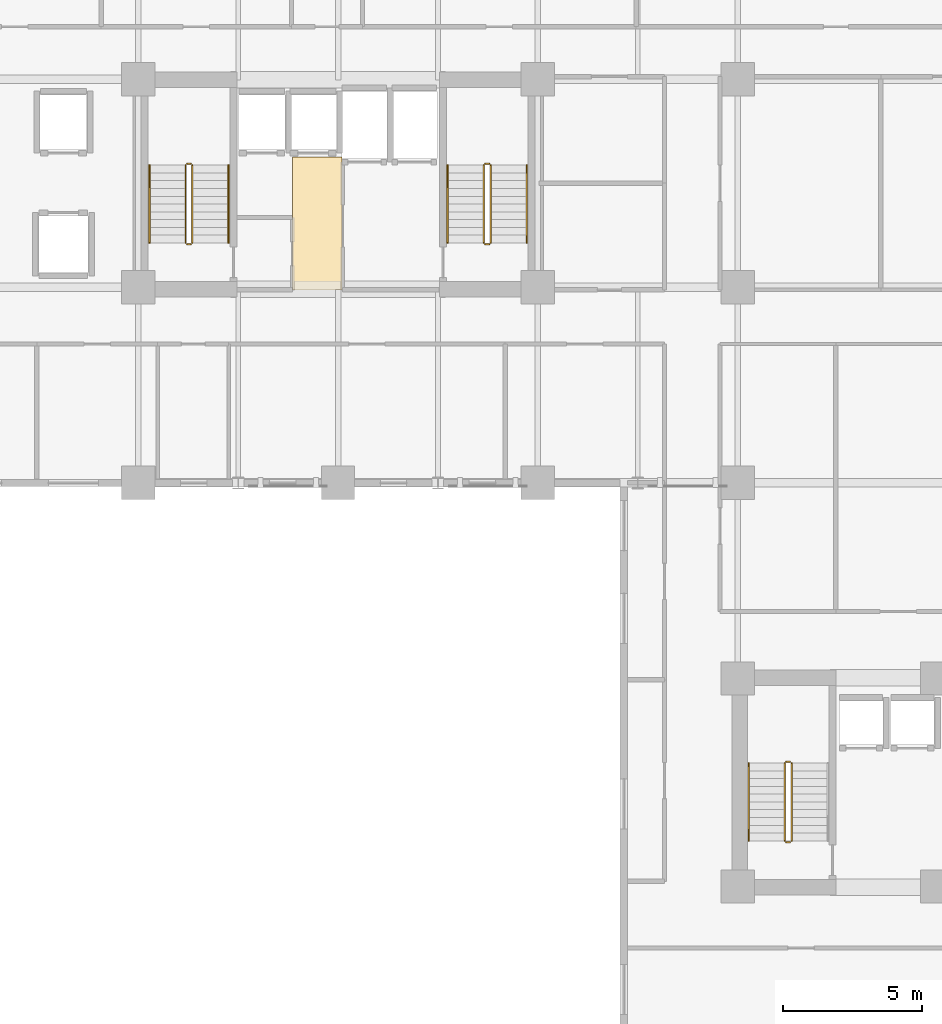
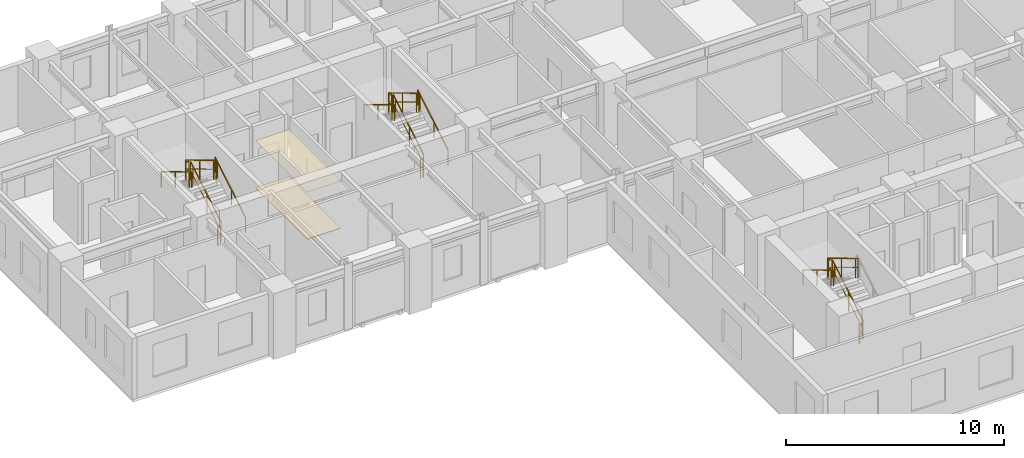
# One storey, part 9 of 11: 17 railings, 2 coverings.
"""IFC4 building model written with IfcOpenShell, lengths in metres."""

from ifc_helpers import new_model, si_unit, direction, frame, origin, origin_2d, place, context, subcontext, project, spatial, rectangle, extrude, source, transform, mapped, material, layer, layer_set, type_object, element, save


model = new_model("IFC4")

# Units and contexts
model_context = context("Model", 3, precision=1e-05, world=origin(), true_north=direction((0.0, 1.0)))
body_context = subcontext(model_context, "Body", "Model", "MODEL_VIEW")
ifc_project = project(units=[si_unit("LENGTHUNIT", "METRE"), si_unit("AREAUNIT", "SQUARE_METRE"), si_unit("VOLUMEUNIT", "CUBIC_METRE"), si_unit("PLANEANGLEUNIT", "RADIAN"), si_unit("MASSUNIT", "GRAM", prefix="KILO")], contexts=[model_context])

# Site, building, storey
site_placement = place(None, origin())
site = spatial("IfcSite", under=ifc_project, at=site_placement, CompositionType="ELEMENT")
building_placement = place(site_placement, origin())
building = spatial("IfcBuilding", under=site, at=building_placement, Name="Kaliganga Portal Commons", CompositionType="ELEMENT")
storey_placement = place(building_placement, frame((0.0, 0.0, 89.699951171875)))
storey = spatial("IfcBuildingStorey", under=building, at=storey_placement, Name="L22", CompositionType="ELEMENT", Elevation=89.699951171875)

# Railings
ifc_material_1 = material(Name="Galvanized Painted Steel Balustrade", Category="steel")
railing_type_1 = type_object("IfcRailingType", Name="RLG-STAIR-GRD", PredefinedType="GUARDRAIL", material=ifc_material_1)
railing_1_placement = place(storey_placement, frame((16.35009765625, 30.25, 0.168212890625)))
element("IfcRailing", 1, at=railing_1_placement, inside=storey, type_object=railing_type_1, Name="L22 ST-A1 stair guard 1", PredefinedType="GUARDRAIL", context=body_context, shape_type="SweptSolid", body=[
    extrude(rectangle(XDim=0.048095703125, YDim=0.048095703125, at=origin_2d()), frame((0.0, 0.0, 1.072021484375), z_axis=(0.0, 0.857242210791, 0.514913383045), x_axis=(-1.0, 0.0, 0.0)), (0.0, 0.0, 1.0), 3.266357421875),
    extrude(rectangle(XDim=0.028076171875, YDim=0.028076171875, at=origin_2d()), frame((0.0, 0.0, 0.572021484375), z_axis=(0.0, 0.857242210791, 0.514913383045), x_axis=(-1.0, 0.0, 0.0)), (0.0, 0.0, 1.0), 3.266357421875),
    extrude(rectangle(XDim=0.0419921875, YDim=0.0419921875, at=origin_2d()), origin(), (0.0, 0.0, 1.0), 1.052001953125),
    extrude(rectangle(XDim=0.0419921875, YDim=0.0419921875, at=origin_2d()), frame((0.0, 1.285888671875, 0.7724609375)), (0.0, 0.0, 1.0), 1.052001953125),
    extrude(rectangle(XDim=0.0419921875, YDim=0.0419921875, at=origin_2d()), frame((0.0, 2.57177734375, 1.544677734375)), (0.0, 0.0, 1.0), 1.052001953125),
    extrude(rectangle(XDim=0.0419921875, YDim=0.0419921875, at=origin_2d()), frame((0.0, 2.800048828125, 1.681884765625)), (0.0, 0.0, 1.0), 1.052001953125),
])
railing_2_placement = place(storey_placement, frame((16.300048828125, 33.10009765625, 1.85009765625)))
element("IfcRailing", 2, at=railing_2_placement, inside=storey, type_object=railing_type_1, Name="L22 ST-A1 stair guard 2", PredefinedType="GUARDRAIL", context=body_context, shape_type="SweptSolid", body=[
    extrude(rectangle(XDim=0.048095703125, YDim=0.048095703125, at=origin_2d()), frame((0.0, 0.0, 1.076171875), z_axis=(-1.0, 0.0, 0.0), x_axis=(0.0, -1.0, 0.0)), (0.0, 0.0, 1.0), 0.150146484375),
    extrude(rectangle(XDim=0.028076171875, YDim=0.028076171875, at=origin_2d()), frame((0.0, 0.0, 0.572021484375), z_axis=(-1.0, 0.0, 0.0), x_axis=(0.0, -1.0, 0.0)), (0.0, 0.0, 1.0), 0.150146484375),
    extrude(rectangle(XDim=0.0419921875, YDim=0.0419921875, at=origin_2d()), origin(), (0.0, 0.0, 1.0), 1.052001953125),
    extrude(rectangle(XDim=0.0419921875, YDim=0.0419921875, at=origin_2d()), frame((-0.150146484375, 0.0, 0.0)), (0.0, 0.0, 1.0), 1.052001953125),
])
railing_3_placement = place(storey_placement, frame((16.10009765625, 33.050048828125, 2.018310546875)))
element("IfcRailing", 3, at=railing_3_placement, inside=storey, type_object=railing_type_1, Name="L22 ST-A1 stair guard 3", PredefinedType="GUARDRAIL", context=body_context, shape_type="SweptSolid", body=[
    extrude(rectangle(XDim=0.048095703125, YDim=0.048095703125, at=origin_2d()), frame((0.0, 0.0, 1.072021484375), z_axis=(0.0, -0.857275202839, 0.514858452973), x_axis=(1.0, 0.0, 0.0)), (0.0, 0.0, 1.0), 3.26611328125),
    extrude(rectangle(XDim=0.028076171875, YDim=0.028076171875, at=origin_2d()), frame((0.0, 0.0, 0.572021484375), z_axis=(0.0, -0.857275202839, 0.514858452973), x_axis=(1.0, 0.0, 0.0)), (0.0, 0.0, 1.0), 3.26611328125),
    extrude(rectangle(XDim=0.0419921875, YDim=0.0419921875, at=origin_2d()), origin(), (0.0, 0.0, 1.0), 1.052001953125),
    extrude(rectangle(XDim=0.0419921875, YDim=0.0419921875, at=origin_2d()), frame((0.0, -1.285888671875, 0.772216796875)), (0.0, 0.0, 1.0), 1.052001953125),
    extrude(rectangle(XDim=0.0419921875, YDim=0.0419921875, at=origin_2d()), frame((0.0, -2.57177734375, 1.544677734375)), (0.0, 0.0, 1.0), 1.052001953125),
    extrude(rectangle(XDim=0.0419921875, YDim=0.0419921875, at=origin_2d()), frame((0.0, -2.800048828125, 1.681640625)), (0.0, 0.0, 1.0), 1.052001953125),
])
railing_4_placement = place(storey_placement, frame((16.300048828125, 30.199951171875, 0.0)))
element("IfcRailing", 4, at=railing_4_placement, inside=storey, type_object=railing_type_1, Name="L22 ST-A1 stair guard 4", PredefinedType="GUARDRAIL", context=body_context, shape_type="SweptSolid", body=[
    extrude(rectangle(XDim=0.048095703125, YDim=0.048095703125, at=origin_2d()), frame((0.0, 0.0, 1.076171875), z_axis=(-1.0, 0.0, 0.0), x_axis=(0.0, -1.0, 0.0)), (0.0, 0.0, 1.0), 0.150146484375),
    extrude(rectangle(XDim=0.028076171875, YDim=0.028076171875, at=origin_2d()), frame((0.0, 0.0, 0.572021484375), z_axis=(-1.0, 0.0, 0.0), x_axis=(0.0, -1.0, 0.0)), (0.0, 0.0, 1.0), 0.150146484375),
    extrude(rectangle(XDim=0.0419921875, YDim=0.0419921875, at=origin_2d()), origin(), (0.0, 0.0, 1.0), 1.052001953125),
    extrude(rectangle(XDim=0.0419921875, YDim=0.0419921875, at=origin_2d()), frame((-0.150146484375, 0.0, 0.0)), (0.0, 0.0, 1.0), 1.052001953125),
])
railing_5_placement = place(storey_placement, frame((27.10009765625, 30.25, 0.168212890625)))
element("IfcRailing", 5, at=railing_5_placement, inside=storey, type_object=railing_type_1, Name="L22 ST-A2 stair guard 1", PredefinedType="GUARDRAIL", context=body_context, shape_type="SweptSolid", body=[
    extrude(rectangle(XDim=0.048095703125, YDim=0.048095703125, at=origin_2d()), frame((0.0, 0.0, 1.072021484375), z_axis=(0.0, 0.857242210791, 0.514913383045), x_axis=(-1.0, 0.0, 0.0)), (0.0, 0.0, 1.0), 3.266357421875),
    extrude(rectangle(XDim=0.028076171875, YDim=0.028076171875, at=origin_2d()), frame((0.0, 0.0, 0.572021484375), z_axis=(0.0, 0.857242210791, 0.514913383045), x_axis=(-1.0, 0.0, 0.0)), (0.0, 0.0, 1.0), 3.266357421875),
    extrude(rectangle(XDim=0.0419921875, YDim=0.0419921875, at=origin_2d()), origin(), (0.0, 0.0, 1.0), 1.052001953125),
    extrude(rectangle(XDim=0.0419921875, YDim=0.0419921875, at=origin_2d()), frame((0.0, 1.285888671875, 0.7724609375)), (0.0, 0.0, 1.0), 1.052001953125),
    extrude(rectangle(XDim=0.0419921875, YDim=0.0419921875, at=origin_2d()), frame((0.0, 2.57177734375, 1.544677734375)), (0.0, 0.0, 1.0), 1.052001953125),
    extrude(rectangle(XDim=0.0419921875, YDim=0.0419921875, at=origin_2d()), frame((0.0, 2.800048828125, 1.681884765625)), (0.0, 0.0, 1.0), 1.052001953125),
])
railing_6_placement = place(storey_placement, frame((27.050048828125, 33.10009765625, 1.85009765625)))
element("IfcRailing", 6, at=railing_6_placement, inside=storey, type_object=railing_type_1, Name="L22 ST-A2 stair guard 2", PredefinedType="GUARDRAIL", context=body_context, shape_type="SweptSolid", body=[
    extrude(rectangle(XDim=0.048095703125, YDim=0.048095703125, at=origin_2d()), frame((0.0, 0.0, 1.076171875), z_axis=(-1.0, 0.0, 0.0), x_axis=(0.0, -1.0, 0.0)), (0.0, 0.0, 1.0), 0.150146484375),
    extrude(rectangle(XDim=0.028076171875, YDim=0.028076171875, at=origin_2d()), frame((0.0, 0.0, 0.572021484375), z_axis=(-1.0, 0.0, 0.0), x_axis=(0.0, -1.0, 0.0)), (0.0, 0.0, 1.0), 0.150146484375),
    extrude(rectangle(XDim=0.0419921875, YDim=0.0419921875, at=origin_2d()), origin(), (0.0, 0.0, 1.0), 1.052001953125),
    extrude(rectangle(XDim=0.0419921875, YDim=0.0419921875, at=origin_2d()), frame((-0.150146484375, 0.0, 0.0)), (0.0, 0.0, 1.0), 1.052001953125),
])
railing_7_placement = place(storey_placement, frame((26.85009765625, 33.050048828125, 2.018310546875)))
element("IfcRailing", 7, at=railing_7_placement, inside=storey, type_object=railing_type_1, Name="L22 ST-A2 stair guard 3", PredefinedType="GUARDRAIL", context=body_context, shape_type="SweptSolid", body=[
    extrude(rectangle(XDim=0.048095703125, YDim=0.048095703125, at=origin_2d()), frame((0.0, 0.0, 1.072021484375), z_axis=(0.0, -0.857275202839, 0.514858452973), x_axis=(1.0, 0.0, 0.0)), (0.0, 0.0, 1.0), 3.26611328125),
    extrude(rectangle(XDim=0.028076171875, YDim=0.028076171875, at=origin_2d()), frame((0.0, 0.0, 0.572021484375), z_axis=(0.0, -0.857275202839, 0.514858452973), x_axis=(1.0, 0.0, 0.0)), (0.0, 0.0, 1.0), 3.26611328125),
    extrude(rectangle(XDim=0.0419921875, YDim=0.0419921875, at=origin_2d()), origin(), (0.0, 0.0, 1.0), 1.052001953125),
    extrude(rectangle(XDim=0.0419921875, YDim=0.0419921875, at=origin_2d()), frame((0.0, -1.285888671875, 0.772216796875)), (0.0, 0.0, 1.0), 1.052001953125),
    extrude(rectangle(XDim=0.0419921875, YDim=0.0419921875, at=origin_2d()), frame((0.0, -2.57177734375, 1.544677734375)), (0.0, 0.0, 1.0), 1.052001953125),
    extrude(rectangle(XDim=0.0419921875, YDim=0.0419921875, at=origin_2d()), frame((0.0, -2.800048828125, 1.681640625)), (0.0, 0.0, 1.0), 1.052001953125),
])
railing_8_placement = place(storey_placement, frame((27.050048828125, 30.199951171875, 0.0)))
element("IfcRailing", 8, at=railing_8_placement, inside=storey, type_object=railing_type_1, Name="L22 ST-A2 stair guard 4", PredefinedType="GUARDRAIL", context=body_context, shape_type="SweptSolid", body=[
    extrude(rectangle(XDim=0.048095703125, YDim=0.048095703125, at=origin_2d()), frame((0.0, 0.0, 1.076171875), z_axis=(-1.0, 0.0, 0.0), x_axis=(0.0, -1.0, 0.0)), (0.0, 0.0, 1.0), 0.150146484375),
    extrude(rectangle(XDim=0.028076171875, YDim=0.028076171875, at=origin_2d()), frame((0.0, 0.0, 0.572021484375), z_axis=(-1.0, 0.0, 0.0), x_axis=(0.0, -1.0, 0.0)), (0.0, 0.0, 1.0), 0.150146484375),
    extrude(rectangle(XDim=0.0419921875, YDim=0.0419921875, at=origin_2d()), origin(), (0.0, 0.0, 1.0), 1.052001953125),
    extrude(rectangle(XDim=0.0419921875, YDim=0.0419921875, at=origin_2d()), frame((-0.150146484375, 0.0, 0.0)), (0.0, 0.0, 1.0), 1.052001953125),
])
railing_9_placement = place(storey_placement, frame((37.949951171875, 8.699951171875, 0.168212890625)))
element("IfcRailing", 9, at=railing_9_placement, inside=storey, type_object=railing_type_1, Name="L22 ST-B1 stair guard 1", PredefinedType="GUARDRAIL", context=body_context, shape_type="SweptSolid", body=[
    extrude(rectangle(XDim=0.048095703125, YDim=0.048095703125, at=origin_2d()), frame((0.0, 0.0, 1.072021484375), z_axis=(0.0, 0.857242210791, 0.514913383045), x_axis=(-1.0, 0.0, 0.0)), (0.0, 0.0, 1.0), 3.266357421875),
    extrude(rectangle(XDim=0.028076171875, YDim=0.028076171875, at=origin_2d()), frame((0.0, 0.0, 0.572021484375), z_axis=(0.0, 0.857242210791, 0.514913383045), x_axis=(-1.0, 0.0, 0.0)), (0.0, 0.0, 1.0), 3.266357421875),
    extrude(rectangle(XDim=0.0419921875, YDim=0.0419921875, at=origin_2d()), origin(), (0.0, 0.0, 1.0), 1.052001953125),
    extrude(rectangle(XDim=0.0419921875, YDim=0.0419921875, at=origin_2d()), frame((0.0, 1.285888671875, 0.7724609375)), (0.0, 0.0, 1.0), 1.052001953125),
    extrude(rectangle(XDim=0.0419921875, YDim=0.0419921875, at=origin_2d()), frame((0.0, 2.57177734375, 1.544677734375)), (0.0, 0.0, 1.0), 1.052001953125),
    extrude(rectangle(XDim=0.0419921875, YDim=0.0419921875, at=origin_2d()), frame((0.0, 2.800048828125, 1.681884765625)), (0.0, 0.0, 1.0), 1.052001953125),
])
railing_10_placement = place(storey_placement, frame((37.89990234375, 11.550048828125, 1.85009765625)))
element("IfcRailing", 10, at=railing_10_placement, inside=storey, type_object=railing_type_1, Name="L22 ST-B1 stair guard 2", PredefinedType="GUARDRAIL", context=body_context, shape_type="SweptSolid", body=[
    extrude(rectangle(XDim=0.048095703125, YDim=0.048095703125, at=origin_2d()), frame((0.0, 0.0, 1.076171875), z_axis=(-1.0, 0.0, 0.0), x_axis=(0.0, -1.0, 0.0)), (0.0, 0.0, 1.0), 0.14990234375),
    extrude(rectangle(XDim=0.028076171875, YDim=0.028076171875, at=origin_2d()), frame((0.0, 0.0, 0.572021484375), z_axis=(-1.0, 0.0, 0.0), x_axis=(0.0, -1.0, 0.0)), (0.0, 0.0, 1.0), 0.14990234375),
    extrude(rectangle(XDim=0.0419921875, YDim=0.0419921875, at=origin_2d()), frame((-0.14990234375, 0.0, 0.0)), (0.0, 0.0, 1.0), 1.052001953125),
])
railing_11_placement = place(storey_placement, frame((37.699951171875, 11.5, 2.018310546875)))
element("IfcRailing", 11, at=railing_11_placement, inside=storey, type_object=railing_type_1, Name="L22 ST-B1 stair guard 3", PredefinedType="GUARDRAIL", context=body_context, shape_type="SweptSolid", body=[
    extrude(rectangle(XDim=0.048095703125, YDim=0.048095703125, at=origin_2d()), frame((0.0, 0.0, 1.072021484375), z_axis=(0.0, -0.857275202839, 0.514858452973), x_axis=(1.0, 0.0, 0.0)), (0.0, 0.0, 1.0), 3.26611328125),
    extrude(rectangle(XDim=0.028076171875, YDim=0.028076171875, at=origin_2d()), frame((0.0, 0.0, 0.572021484375), z_axis=(0.0, -0.857275202839, 0.514858452973), x_axis=(1.0, 0.0, 0.0)), (0.0, 0.0, 1.0), 3.26611328125),
    extrude(rectangle(XDim=0.0419921875, YDim=0.0419921875, at=origin_2d()), origin(), (0.0, 0.0, 1.0), 1.052001953125),
    extrude(rectangle(XDim=0.0419921875, YDim=0.0419921875, at=origin_2d()), frame((0.0, -1.285888671875, 0.772216796875)), (0.0, 0.0, 1.0), 1.052001953125),
    extrude(rectangle(XDim=0.0419921875, YDim=0.0419921875, at=origin_2d()), frame((0.0, -2.57177734375, 1.544677734375)), (0.0, 0.0, 1.0), 1.052001953125),
    extrude(rectangle(XDim=0.0419921875, YDim=0.0419921875, at=origin_2d()), frame((0.0, -2.800048828125, 1.681640625)), (0.0, 0.0, 1.0), 1.052001953125),
])
railing_12_placement = place(storey_placement, frame((37.89990234375, 8.64990234375, 0.0)))
element("IfcRailing", 12, at=railing_12_placement, inside=storey, type_object=railing_type_1, Name="L22 ST-B1 stair guard 4", PredefinedType="GUARDRAIL", context=body_context, shape_type="SweptSolid", body=[
    extrude(rectangle(XDim=0.048095703125, YDim=0.048095703125, at=origin_2d()), frame((0.0, 0.0, 1.076171875), z_axis=(-1.0, 0.0, 0.0), x_axis=(0.0, -1.0, 0.0)), (0.0, 0.0, 1.0), 0.14990234375),
    extrude(rectangle(XDim=0.028076171875, YDim=0.028076171875, at=origin_2d()), frame((0.0, 0.0, 0.572021484375), z_axis=(-1.0, 0.0, 0.0), x_axis=(0.0, -1.0, 0.0)), (0.0, 0.0, 1.0), 0.14990234375),
    extrude(rectangle(XDim=0.0419921875, YDim=0.0419921875, at=origin_2d()), frame((-0.14990234375, 0.0, 0.0)), (0.0, 0.0, 1.0), 1.052001953125),
])
ifc_material_2 = material(Name="Brushed Stainless Steel 316", Category="steel")
railing_type_2 = type_object("IfcRailingType", Name="RLG-STAIR-HR", PredefinedType="HANDRAIL", material=ifc_material_2)
railing_13_placement = place(storey_placement, frame((17.64990234375, 30.25, 0.168212890625)))
element("IfcRailing", 13, at=railing_13_placement, inside=storey, type_object=railing_type_2, Name="L22 ST-A1 stair handrail 1", PredefinedType="HANDRAIL", context=body_context, shape_type="SweptSolid", body=[
    extrude(rectangle(XDim=0.048095703125, YDim=0.048095703125, at=origin_2d()), frame((0.0, 0.0, 0.871826171875), z_axis=(0.0, 0.857242210791, 0.514913383045), x_axis=(-1.0, 0.0, 0.0)), (0.0, 0.0, 1.0), 3.266357421875),
    extrude(rectangle(XDim=0.0419921875, YDim=0.0419921875, at=origin_2d()), origin(), (0.0, 0.0, 1.0), 0.851806640625),
    extrude(rectangle(XDim=0.0419921875, YDim=0.0419921875, at=origin_2d()), frame((0.0, 1.285888671875, 0.7724609375)), (0.0, 0.0, 1.0), 0.851806640625),
    extrude(rectangle(XDim=0.0419921875, YDim=0.0419921875, at=origin_2d()), frame((0.0, 2.57177734375, 1.544677734375)), (0.0, 0.0, 1.0), 0.851806640625),
    extrude(rectangle(XDim=0.0419921875, YDim=0.0419921875, at=origin_2d()), frame((0.0, 2.800048828125, 1.681884765625)), (0.0, 0.0, 1.0), 0.851806640625),
])
railing_14_placement = place(storey_placement, frame((14.800048828125, 33.050048828125, 2.018310546875)))
element("IfcRailing", 14, at=railing_14_placement, inside=storey, type_object=railing_type_2, Name="L22 ST-A1 stair handrail 2", PredefinedType="HANDRAIL", context=body_context, shape_type="SweptSolid", body=[
    extrude(rectangle(XDim=0.048095703125, YDim=0.048095703125, at=origin_2d()), frame((0.0, 0.0, 0.871826171875), z_axis=(0.0, -0.857275202839, 0.514858452973), x_axis=(1.0, 0.0, 0.0)), (0.0, 0.0, 1.0), 3.26611328125),
    extrude(rectangle(XDim=0.0419921875, YDim=0.0419921875, at=origin_2d()), origin(), (0.0, 0.0, 1.0), 0.851806640625),
    extrude(rectangle(XDim=0.0419921875, YDim=0.0419921875, at=origin_2d()), frame((0.0, -1.285888671875, 0.772216796875)), (0.0, 0.0, 1.0), 0.851806640625),
    extrude(rectangle(XDim=0.0419921875, YDim=0.0419921875, at=origin_2d()), frame((0.0, -2.57177734375, 1.544677734375)), (0.0, 0.0, 1.0), 0.851806640625),
    extrude(rectangle(XDim=0.0419921875, YDim=0.0419921875, at=origin_2d()), frame((0.0, -2.800048828125, 1.681640625)), (0.0, 0.0, 1.0), 0.851806640625),
])
railing_15_placement = place(storey_placement, frame((28.39990234375, 30.25, 0.168212890625)))
element("IfcRailing", 15, at=railing_15_placement, inside=storey, type_object=railing_type_2, Name="L22 ST-A2 stair handrail 1", PredefinedType="HANDRAIL", context=body_context, shape_type="SweptSolid", body=[
    extrude(rectangle(XDim=0.048095703125, YDim=0.048095703125, at=origin_2d()), frame((0.0, 0.0, 0.871826171875), z_axis=(0.0, 0.857242210791, 0.514913383045), x_axis=(-1.0, 0.0, 0.0)), (0.0, 0.0, 1.0), 3.266357421875),
    extrude(rectangle(XDim=0.0419921875, YDim=0.0419921875, at=origin_2d()), origin(), (0.0, 0.0, 1.0), 0.851806640625),
    extrude(rectangle(XDim=0.0419921875, YDim=0.0419921875, at=origin_2d()), frame((0.0, 1.285888671875, 0.7724609375)), (0.0, 0.0, 1.0), 0.851806640625),
    extrude(rectangle(XDim=0.0419921875, YDim=0.0419921875, at=origin_2d()), frame((0.0, 2.57177734375, 1.544677734375)), (0.0, 0.0, 1.0), 0.851806640625),
    extrude(rectangle(XDim=0.0419921875, YDim=0.0419921875, at=origin_2d()), frame((0.0, 2.800048828125, 1.681884765625)), (0.0, 0.0, 1.0), 0.851806640625),
])
for number, where, name in (
    (16, (25.550048828125, 33.050048828125, 2.018310546875), "L22 ST-A2 stair handrail 2"),
    (17, (36.39990234375, 11.5, 2.018310546875), "L22 ST-B1 stair handrail 2"),
):
    element("IfcRailing", number, at=place(storey_placement, frame(where)), inside=storey, type_object=railing_type_2, Name=name, PredefinedType="HANDRAIL", context=body_context, shape_type="SweptSolid", body=[
        extrude(rectangle(XDim=0.048095703125, YDim=0.048095703125, at=origin_2d()), frame((0.0, 0.0, 0.871826171875), z_axis=(0.0, -0.857275202839, 0.514858452973), x_axis=(1.0, 0.0, 0.0)), (0.0, 0.0, 1.0), 3.26611328125),
        extrude(rectangle(XDim=0.0419921875, YDim=0.0419921875, at=origin_2d()), origin(), (0.0, 0.0, 1.0), 0.851806640625),
        extrude(rectangle(XDim=0.0419921875, YDim=0.0419921875, at=origin_2d()), frame((0.0, -1.285888671875, 0.772216796875)), (0.0, 0.0, 1.0), 0.851806640625),
        extrude(rectangle(XDim=0.0419921875, YDim=0.0419921875, at=origin_2d()), frame((0.0, -2.57177734375, 1.544677734375)), (0.0, 0.0, 1.0), 0.851806640625),
        extrude(rectangle(XDim=0.0419921875, YDim=0.0419921875, at=origin_2d()), frame((0.0, -2.800048828125, 1.681640625)), (0.0, 0.0, 1.0), 0.851806640625),
    ])

# Coverings
ifc_material_3 = material(Name="Acoustic Micro-Perforated Gypsum Ceiling", Category="gypsum")
ifc_layer_1 = layer(ifc_material_3, 0.02001953125)
ifc_layer_set_1 = layer_set([ifc_layer_1], Name="Acoustic Micro-Perforated Gypsum Ceiling")
covering_type_1 = type_object("IfcCoveringType", Name="COV-CEIL-GYP", PredefinedType="CEILING", material=ifc_layer_set_1)
shared_shape_1 = source(origin(), body_context, "Body", "SweptSolid", [
    extrude(rectangle(XDim=1.780029296875, YDim=4.780029296875, at=origin_2d()), origin(), (0.0, 0.0, 1.0), 0.02001953125),
])
covering_1_placement = place(storey_placement, frame((20.85009765625, 30.949951171875, 2.64013671875), z_axis=(0.0, 0.0, 1.0), x_axis=(1.0, 0.0, 0.0)))
element("IfcCovering", 18, at=covering_1_placement, inside=storey, type_object=covering_type_1, Name="Acoustic Ceiling L22 PLOB_A", PredefinedType="CEILING", context=body_context, shape_type="MappedRepresentation", body=[
    mapped(shared_shape_1, transform((0.0, 0.0, 0.0), x_axis=(1.0, 0.0, 0.0), y_axis=(0.0, 1.0, 0.0), z_axis=(0.0, 0.0, 1.0), scale=1.0)),
])
ifc_material_4 = material(Name="Polished Sylhet Stone Terrazzo Flooring", Category="masonry")
ifc_layer_2 = layer(ifc_material_4, 0.02490234375)
ifc_layer_set_2 = layer_set([ifc_layer_2], Name="Polished Sylhet Stone Terrazzo Flooring")
covering_type_2 = type_object("IfcCoveringType", Name="COV-FLR-TERRAZZO", PredefinedType="FLOORING", material=ifc_layer_set_2)
shared_shape_2 = source(origin(), body_context, "Body", "SweptSolid", [
    extrude(rectangle(XDim=1.780029296875, YDim=4.780029296875, at=origin_2d()), origin(), (0.0, 0.0, 1.0), 0.02490234375),
])
covering_2_placement = place(storey_placement, frame((20.85009765625, 30.949951171875, 0.00048828125), z_axis=(0.0, 0.0, 1.0), x_axis=(1.0, 0.0, 0.0)))
element("IfcCovering", 19, at=covering_2_placement, inside=storey, type_object=covering_type_2, Name="Terrazzo Flooring L22 PLOB_A", PredefinedType="FLOORING", context=body_context, shape_type="MappedRepresentation", body=[
    mapped(shared_shape_2, transform((0.0, 0.0, 0.0), x_axis=(1.0, 0.0, 0.0), y_axis=(0.0, 1.0, 0.0), z_axis=(0.0, 0.0, 1.0), scale=1.0)),
])

save(model, "model.ifc")
